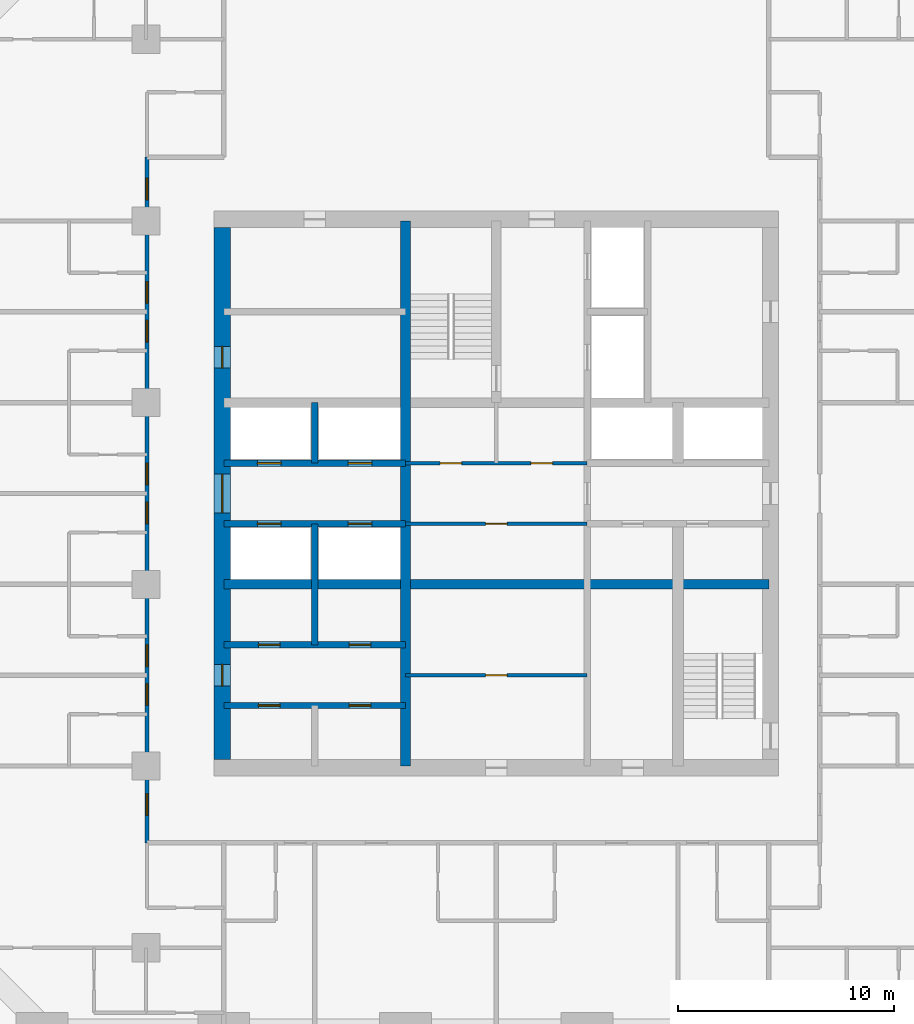
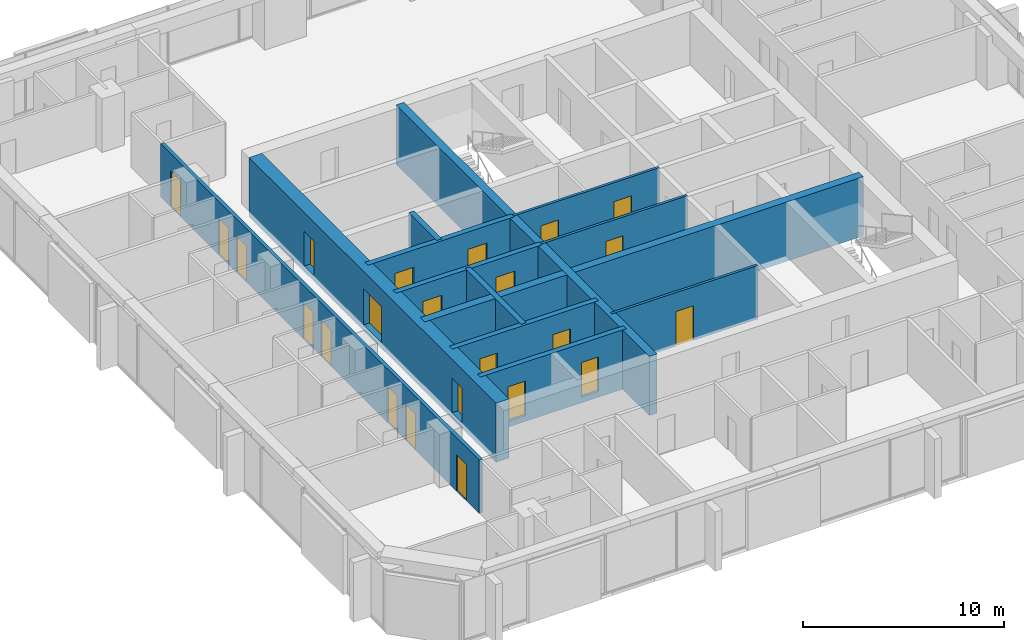
# One storey, part 9 of 13: 23 doors, 13 walls, 23 openings.
"""IFC4 building model written with IfcOpenShell, lengths in metres."""

from ifc_helpers import new_model, si_unit, direction, frame, frame_2d, origin, place, context, subcontext, project, spatial, rectangle, extrude, material, layer, layer_set, type_object, element, fill, save


model = new_model("IFC4")

# Units and contexts
model_context = context("Model", 3, precision=1e-05, world=origin(), true_north=direction((0.0, 1.0)))
body_context = subcontext(model_context, "Body", "Model", "MODEL_VIEW")
ifc_project = project(units=[si_unit("LENGTHUNIT", "METRE"), si_unit("AREAUNIT", "SQUARE_METRE"), si_unit("VOLUMEUNIT", "CUBIC_METRE"), si_unit("PLANEANGLEUNIT", "RADIAN"), si_unit("MASSUNIT", "GRAM", prefix="KILO")], contexts=[model_context])

# Site, building, storey
site_placement = place(None, origin())
site = spatial("IfcSite", under=ifc_project, at=site_placement, CompositionType="ELEMENT")
building_placement = place(site_placement, origin())
building = spatial("IfcBuilding", under=site, at=building_placement, Name="Dunama Terrace Hotel", CompositionType="ELEMENT")
storey_placement = place(building_placement, frame((0.0, 0.0, 166.199951171875)))
storey = spatial("IfcBuildingStorey", under=building, at=storey_placement, Name="L42", CompositionType="ELEMENT", Elevation=166.199951171875)

# Walls
ifc_material_1 = material(Name="Concrete C50/60", Category="concrete")
ifc_layer_1 = layer(ifc_material_1, 0.300048828125)
ifc_layer_set_1 = layer_set([ifc_layer_1], Name="Core inner wall 300")
wall_type_1 = type_object("IfcWallType", Name="Core inner wall 300", PredefinedType="SHEAR", material=ifc_layer_set_1)
wall_1_placement = place(storey_placement, frame((21.0, 22.39990234375, -0.349853515625), z_axis=(0.0, 0.0, 1.0), x_axis=(0.0, 1.0, 0.0)))
element("IfcWall", 1, at=wall_1_placement, inside=storey, type_object=wall_type_1, Name="Core inner wall 300 L42", PredefinedType="SHEAR", context=body_context, shape_type="SweptSolid", body=[
    extrude(rectangle(XDim=5.60009765625, YDim=0.300048828125, at=frame_2d((2.800048828125, 0.0))), origin(), (0.0, 0.0, 1.0), 3.599853515625),
])
wall_2_placement = place(storey_placement, frame((21.0, 30.800048828125, -0.349853515625), z_axis=(0.0, 0.0, 1.0), x_axis=(0.0, 1.0, 0.0)))
element("IfcWall", 2, at=wall_2_placement, inside=storey, type_object=wall_type_1, Name="Core inner wall 300 L42", PredefinedType="SHEAR", context=body_context, shape_type="SweptSolid", body=[
    extrude(rectangle(XDim=2.800048828125, YDim=0.300048828125, at=frame_2d((1.39990234375, 0.0))), origin(), (0.0, 0.0, 1.0), 3.599853515625),
])

# Wall, openings, doors
wall_3_placement = place(storey_placement, frame((16.800048828125, 19.60009765625, -0.349853515625), z_axis=(0.0, 0.0, 1.0), x_axis=(1.0, 0.0, 0.0)))
wall_3 = element("IfcWall", 3, at=wall_3_placement, inside=storey, type_object=wall_type_1, Name="Core inner wall 300 L42", PredefinedType="SHEAR", context=body_context, shape_type="SweptSolid", body=[
    extrude(rectangle(XDim=8.39990234375, YDim=0.300048828125, at=frame_2d((4.199951171875, 0.0))), origin(), (0.0, 0.0, 1.0), 3.599853515625),
])
opening_1_placement = place(wall_3_placement, frame((1.60009765625, 0.0, 0.35009765625)))
opening_1 = element("IfcOpeningElement", 4, at=opening_1_placement, cuts=wall_3, Name="Opening L42-44-059", PredefinedType="OPENING", context=body_context, shape_type="SweptSolid", body=[
    extrude(rectangle(XDim=1.0, YDim=2.10009765625, at=frame_2d((0.5, 1.050048828125))), frame((0.0, 0.159912109375, 0.0), z_axis=(0.0, -1.0, 0.0), x_axis=(1.0, 0.0, 0.0)), (0.0, 0.0, 1.0), 0.320068359375),
])
opening_2_placement = place(wall_3_placement, frame((5.800048828125, 0.0, 0.35009765625)))
opening_2 = element("IfcOpeningElement", 5, at=opening_2_placement, cuts=wall_3, Name="Opening L42-44-060", PredefinedType="OPENING", context=body_context, shape_type="SweptSolid", body=[
    extrude(rectangle(XDim=1.0, YDim=2.10009765625, at=frame_2d((0.5, 1.050048828125))), frame((0.0, 0.159912109375, 0.0), z_axis=(0.0, -1.0, 0.0), x_axis=(1.0, 0.0, 0.0)), (0.0, 0.0, 1.0), 0.320068359375),
])
ifc_material_2 = material(Name="Timber door with steel frame", Category="steel")
door_type_1 = type_object("IfcDoorType", Name="Service door 1000", OperationType="SINGLE_SWING_LEFT", PredefinedType="DOOR", material=ifc_material_2)
door_1_placement = place(opening_1_placement, frame((1.0, 0.0, 0.0), z_axis=(0.0, 0.0, 1.0), x_axis=(-1.0, 0.0, 0.0)))
door_1 = element("IfcDoor", 6, at=door_1_placement, inside=storey, type_object=door_type_1, Name="Door to service riser L42-44-059, type D7", OperationType="SINGLE_SWING_RIGHT", OverallHeight=2.10009765625, OverallWidth=1.0, PredefinedType="DOOR", context=body_context, shape_type="SweptSolid", body=[
    extrude(rectangle(XDim=1.0, YDim=2.10009765625, at=frame_2d((0.5, 1.050048828125))), frame((0.0, 0.025146484375, 0.0), z_axis=(0.0, -1.0, 0.0), x_axis=(1.0, 0.0, 0.0)), (0.0, 0.0, 1.0), 0.050048828125),
])
fill(opening_1, door_1)
door_2_placement = place(opening_2_placement, frame((1.0, 0.0, 0.0), z_axis=(0.0, 0.0, 1.0), x_axis=(-1.0, 0.0, 0.0)))
door_2 = element("IfcDoor", 7, at=door_2_placement, inside=storey, type_object=door_type_1, Name="Door to it room L42-44-060, type D7", OperationType="SINGLE_SWING_LEFT", OverallHeight=2.10009765625, OverallWidth=1.0, PredefinedType="DOOR", context=body_context, shape_type="SweptSolid", body=[
    extrude(rectangle(XDim=1.0, YDim=2.10009765625, at=frame_2d((0.5, 1.050048828125))), frame((0.0, 0.025146484375, 0.0), z_axis=(0.0, -1.0, 0.0), x_axis=(1.0, 0.0, 0.0)), (0.0, 0.0, 1.0), 0.050048828125),
])
fill(opening_2, door_2)

wall_4_placement = place(storey_placement, frame((16.800048828125, 22.39990234375, -0.349853515625), z_axis=(0.0, 0.0, 1.0), x_axis=(1.0, 0.0, 0.0)))
wall_4 = element("IfcWall", 8, at=wall_4_placement, inside=storey, type_object=wall_type_1, Name="Core inner wall 300 L42", PredefinedType="SHEAR", context=body_context, shape_type="SweptSolid", body=[
    extrude(rectangle(XDim=8.39990234375, YDim=0.300048828125, at=frame_2d((4.199951171875, 0.0))), origin(), (0.0, 0.0, 1.0), 3.599853515625),
])
opening_3_placement = place(wall_4_placement, frame((1.60009765625, 0.0, 0.35009765625)))
opening_3 = element("IfcOpeningElement", 9, at=opening_3_placement, cuts=wall_4, Name="Opening L42-44-061", PredefinedType="OPENING", context=body_context, shape_type="SweptSolid", body=[
    extrude(rectangle(XDim=1.0, YDim=2.10009765625, at=frame_2d((0.5, 1.050048828125))), frame((0.0, 0.159912109375, 0.0), z_axis=(0.0, -1.0, 0.0), x_axis=(1.0, 0.0, 0.0)), (0.0, 0.0, 1.0), 0.320068359375),
])
opening_4_placement = place(wall_4_placement, frame((5.800048828125, 0.0, 0.35009765625)))
opening_4 = element("IfcOpeningElement", 10, at=opening_4_placement, cuts=wall_4, Name="Opening L42-44-062", PredefinedType="OPENING", context=body_context, shape_type="SweptSolid", body=[
    extrude(rectangle(XDim=1.0, YDim=2.10009765625, at=frame_2d((0.5, 1.050048828125))), frame((0.0, 0.159912109375, 0.0), z_axis=(0.0, -1.0, 0.0), x_axis=(1.0, 0.0, 0.0)), (0.0, 0.0, 1.0), 0.320068359375),
])
door_3_placement = place(opening_3_placement, origin())
door_3 = element("IfcDoor", 11, at=door_3_placement, inside=storey, type_object=door_type_1, Name="Door to cleaners store L42-44-061, type D7", OperationType="SINGLE_SWING_LEFT", OverallHeight=2.10009765625, OverallWidth=1.0, PredefinedType="DOOR", context=body_context, shape_type="SweptSolid", body=[
    extrude(rectangle(XDim=1.0, YDim=2.10009765625, at=frame_2d((0.5, 1.050048828125))), frame((0.0, 0.02490234375, 0.0), z_axis=(0.0, -1.0, 0.0), x_axis=(1.0, 0.0, 0.0)), (0.0, 0.0, 1.0), 0.050048828125),
])
fill(opening_3, door_3)
door_4_placement = place(opening_4_placement, origin())
door_4 = element("IfcDoor", 12, at=door_4_placement, inside=storey, type_object=door_type_1, Name="Door to staff accessible wc L42-44-062, type D7", OperationType="SINGLE_SWING_RIGHT", OverallHeight=2.10009765625, OverallWidth=1.0, PredefinedType="DOOR", context=body_context, shape_type="SweptSolid", body=[
    extrude(rectangle(XDim=1.0, YDim=2.10009765625, at=frame_2d((0.5, 1.050048828125))), frame((0.0, 0.02490234375, 0.0), z_axis=(0.0, -1.0, 0.0), x_axis=(1.0, 0.0, 0.0)), (0.0, 0.0, 1.0), 0.050048828125),
])
fill(opening_4, door_4)

wall_5_placement = place(storey_placement, frame((16.800048828125, 28.0, -0.349853515625), z_axis=(0.0, 0.0, 1.0), x_axis=(1.0, 0.0, 0.0)))
wall_5 = element("IfcWall", 13, at=wall_5_placement, inside=storey, type_object=wall_type_1, Name="Core inner wall 300 L42", PredefinedType="SHEAR", context=body_context, shape_type="SweptSolid", body=[
    extrude(rectangle(XDim=8.39990234375, YDim=0.300048828125, at=frame_2d((4.199951171875, 0.0))), origin(), (0.0, 0.0, 1.0), 3.599853515625),
])
opening_5_placement = place(wall_5_placement, frame((1.550048828125, 0.0, 0.35009765625)))
opening_5 = element("IfcOpeningElement", 14, at=opening_5_placement, cuts=wall_5, Name="Opening L42-44-003", PredefinedType="OPENING", context=body_context, shape_type="SweptSolid", body=[
    extrude(rectangle(XDim=1.10009765625, YDim=2.199951171875, at=frame_2d((0.550048828125, 1.10009765625))), frame((0.0, 0.159912109375, 0.0), z_axis=(0.0, -1.0, 0.0), x_axis=(1.0, 0.0, 0.0)), (0.0, 0.0, 1.0), 0.320068359375),
])
opening_6_placement = place(wall_5_placement, frame((5.75, 0.0, 0.35009765625)))
opening_6 = element("IfcOpeningElement", 15, at=opening_6_placement, cuts=wall_5, Name="Opening L42-44-004", PredefinedType="OPENING", context=body_context, shape_type="SweptSolid", body=[
    extrude(rectangle(XDim=1.10009765625, YDim=2.199951171875, at=frame_2d((0.550048828125, 1.10009765625))), frame((0.0, 0.159912109375, 0.0), z_axis=(0.0, -1.0, 0.0), x_axis=(1.0, 0.0, 0.0)), (0.0, 0.0, 1.0), 0.320068359375),
])
ifc_material_3 = material(Name="Stainless steel lift door", Category="steel")
door_type_2 = type_object("IfcDoorType", Name="Lift landing door 1100", OperationType="DOUBLE_DOOR_SLIDING", PredefinedType="DOOR", material=ifc_material_3)
door_5_placement = place(opening_5_placement, origin())
door_5 = element("IfcDoor", 16, at=door_5_placement, inside=storey, type_object=door_type_2, Name="Landing door PC1 L42-44-003, type LD1", OperationType="DOUBLE_DOOR_SLIDING", OverallHeight=2.199951171875, OverallWidth=1.10009765625, PredefinedType="DOOR", context=body_context, shape_type="SweptSolid", body=[
    extrude(rectangle(XDim=1.10009765625, YDim=2.199951171875, at=frame_2d((0.550048828125, 1.10009765625))), frame((0.0, 0.02490234375, 0.0), z_axis=(0.0, -1.0, 0.0), x_axis=(1.0, 0.0, 0.0)), (0.0, 0.0, 1.0), 0.050048828125),
])
fill(opening_5, door_5)
door_6_placement = place(opening_6_placement, origin())
door_6 = element("IfcDoor", 17, at=door_6_placement, inside=storey, type_object=door_type_2, Name="Landing door PC2 L42-44-004, type LD1", OperationType="DOUBLE_DOOR_SLIDING", OverallHeight=2.199951171875, OverallWidth=1.10009765625, PredefinedType="DOOR", context=body_context, shape_type="SweptSolid", body=[
    extrude(rectangle(XDim=1.10009765625, YDim=2.199951171875, at=frame_2d((0.550048828125, 1.10009765625))), frame((0.0, 0.02490234375, 0.0), z_axis=(0.0, -1.0, 0.0), x_axis=(1.0, 0.0, 0.0)), (0.0, 0.0, 1.0), 0.050048828125),
])
fill(opening_6, door_6)

wall_6_placement = place(storey_placement, frame((16.800048828125, 30.800048828125, -0.349853515625), z_axis=(0.0, 0.0, 1.0), x_axis=(1.0, 0.0, 0.0)))
wall_6 = element("IfcWall", 18, at=wall_6_placement, inside=storey, type_object=wall_type_1, Name="Core inner wall 300 L42", PredefinedType="SHEAR", context=body_context, shape_type="SweptSolid", body=[
    extrude(rectangle(XDim=8.39990234375, YDim=0.300048828125, at=frame_2d((4.199951171875, 0.0))), origin(), (0.0, 0.0, 1.0), 3.599853515625),
])
opening_7_placement = place(wall_6_placement, frame((1.550048828125, 0.0, 0.35009765625)))
opening_7 = element("IfcOpeningElement", 19, at=opening_7_placement, cuts=wall_6, Name="Opening L42-44-005", PredefinedType="OPENING", context=body_context, shape_type="SweptSolid", body=[
    extrude(rectangle(XDim=1.10009765625, YDim=2.199951171875, at=frame_2d((0.550048828125, 1.10009765625))), frame((0.0, 0.159912109375, 0.0), z_axis=(0.0, -1.0, 0.0), x_axis=(1.0, 0.0, 0.0)), (0.0, 0.0, 1.0), 0.320068359375),
])
opening_8_placement = place(wall_6_placement, frame((5.75, 0.0, 0.35009765625)))
opening_8 = element("IfcOpeningElement", 20, at=opening_8_placement, cuts=wall_6, Name="Opening L42-44-006", PredefinedType="OPENING", context=body_context, shape_type="SweptSolid", body=[
    extrude(rectangle(XDim=1.10009765625, YDim=2.199951171875, at=frame_2d((0.550048828125, 1.10009765625))), frame((0.0, 0.159912109375, 0.0), z_axis=(0.0, -1.0, 0.0), x_axis=(1.0, 0.0, 0.0)), (0.0, 0.0, 1.0), 0.320068359375),
])
door_7_placement = place(opening_7_placement, origin())
door_7 = element("IfcDoor", 21, at=door_7_placement, inside=storey, type_object=door_type_2, Name="Landing door PC3 L42-44-005, type LD1", OperationType="DOUBLE_DOOR_SLIDING", OverallHeight=2.199951171875, OverallWidth=1.10009765625, PredefinedType="DOOR", context=body_context, shape_type="SweptSolid", body=[
    extrude(rectangle(XDim=1.10009765625, YDim=2.199951171875, at=frame_2d((0.550048828125, 1.10009765625))), frame((0.0, 0.02490234375, 0.0), z_axis=(0.0, -1.0, 0.0), x_axis=(1.0, 0.0, 0.0)), (0.0, 0.0, 1.0), 0.050048828125),
])
fill(opening_7, door_7)
door_8_placement = place(opening_8_placement, origin())
door_8 = element("IfcDoor", 22, at=door_8_placement, inside=storey, type_object=door_type_2, Name="Landing door PC4 L42-44-006, type LD1", OperationType="DOUBLE_DOOR_SLIDING", OverallHeight=2.199951171875, OverallWidth=1.10009765625, PredefinedType="DOOR", context=body_context, shape_type="SweptSolid", body=[
    extrude(rectangle(XDim=1.10009765625, YDim=2.199951171875, at=frame_2d((0.550048828125, 1.10009765625))), frame((0.0, 0.02490234375, 0.0), z_axis=(0.0, -1.0, 0.0), x_axis=(1.0, 0.0, 0.0)), (0.0, 0.0, 1.0), 0.050048828125),
])
fill(opening_8, door_8)

# Walls
ifc_material_4 = material(Name="Concrete C50/60", Category="concrete")
ifc_layer_2 = layer(ifc_material_4, 0.449951171875)
ifc_layer_set_2 = layer_set([ifc_layer_2], Name="Core inner wall 450")
wall_type_2 = type_object("IfcWallType", Name="Core inner wall 450", PredefinedType="SHEAR", material=ifc_layer_set_2)
for number, where, z_axis, x_axis, name in (
    (23, (25.199951171875, 16.800048828125, -0.349853515625), (0.0, 0.0, 1.0), (0.0, 1.0, 0.0), "Core inner wall 450 L42"),
    (24, (16.800048828125, 25.199951171875, -0.349853515625), (0.0, 0.0, 1.0), (1.0, 0.0, 0.0), "Core inner wall 450 L42"),
):
    element("IfcWall", number, at=place(storey_placement, frame(where, z_axis=z_axis, x_axis=x_axis)), inside=storey, type_object=wall_type_2, Name=name, PredefinedType="SHEAR", context=body_context, shape_type="SweptSolid", body=[
        extrude(rectangle(XDim=25.199951171875, YDim=0.449951171875, at=frame_2d((12.60009765625, 0.0))), origin(), (0.0, 0.0, 1.0), 3.599853515625),
    ])

# Wall, openings, doors
ifc_material_5 = material(Name="Concrete C60/75", Category="concrete")
ifc_layer_3 = layer(ifc_material_5, 0.75)
ifc_layer_set_3 = layer_set([ifc_layer_3], Name="Core wall 750")
wall_type_3 = type_object("IfcWallType", Name="Core wall 750", PredefinedType="SHEAR", material=ifc_layer_set_3)
wall_7_placement = place(storey_placement, frame((16.72509765625, 41.699951171875, -0.349853515625), z_axis=(0.0, 0.0, 1.0), x_axis=(0.0, -1.0, 0.0)))
wall_7 = element("IfcWall", 25, at=wall_7_placement, inside=storey, type_object=wall_type_3, Name="Core wall west L42", PredefinedType="SHEAR", context=body_context, shape_type="SweptSolid", body=[
    extrude(rectangle(XDim=24.599853515625, YDim=0.75, at=frame_2d((12.2998046875, 0.0))), origin(), (0.0, 0.0, 1.0), 3.599853515625),
])
opening_9_placement = place(wall_7_placement, frame((11.39990234375, 0.0, 0.35009765625)))
opening_9 = element("IfcOpeningElement", 26, at=opening_9_placement, cuts=wall_7, Name="Opening L42-44-058", PredefinedType="OPENING", context=body_context, shape_type="SweptSolid", body=[
    extrude(rectangle(XDim=1.800048828125, YDim=2.199951171875, at=frame_2d((0.89990234375, 1.10009765625))), frame((0.0, 0.385009765625, 0.0), z_axis=(0.0, -1.0, 0.0), x_axis=(1.0, 0.0, 0.0)), (0.0, 0.0, 1.0), 0.77001953125),
])
opening_10_placement = place(wall_7_placement, frame((20.199951171875, 0.0, 0.35009765625)))
opening_10 = element("IfcOpeningElement", 27, at=opening_10_placement, cuts=wall_7, Name="Opening L42-44-063", PredefinedType="OPENING", context=body_context, shape_type="SweptSolid", body=[
    extrude(rectangle(XDim=1.0, YDim=2.10009765625, at=frame_2d((0.5, 1.050048828125))), frame((0.0, 0.385009765625, 0.0), z_axis=(0.0, -1.0, 0.0), x_axis=(1.0, 0.0, 0.0)), (0.0, 0.0, 1.0), 0.77001953125),
])
opening_11_placement = place(wall_7_placement, frame((5.5, 0.0, 0.35009765625)))
opening_11 = element("IfcOpeningElement", 28, at=opening_11_placement, cuts=wall_7, Name="Opening L42-44-064", PredefinedType="OPENING", context=body_context, shape_type="SweptSolid", body=[
    extrude(rectangle(XDim=1.0, YDim=2.10009765625, at=frame_2d((0.5, 1.050048828125))), frame((0.0, 0.385009765625, 0.0), z_axis=(0.0, -1.0, 0.0), x_axis=(1.0, 0.0, 0.0)), (0.0, 0.0, 1.0), 0.77001953125),
])
ifc_material_6 = material(Name="Timber door with steel frame", Category="steel")
door_type_3 = type_object("IfcDoorType", Name="Lift lobby double door 1800", OperationType="DOUBLE_DOOR_DOUBLE_SWING", PredefinedType="DOOR", material=ifc_material_6)
door_9_placement = place(opening_9_placement, origin())
door_9 = element("IfcDoor", 29, at=door_9_placement, inside=storey, type_object=door_type_3, Name="Door to lift lobby L42-44-058, type D3", OperationType="DOUBLE_DOOR_DOUBLE_SWING", OverallHeight=2.199951171875, OverallWidth=1.800048828125, PredefinedType="DOOR", context=body_context, shape_type="SweptSolid", body=[
    extrude(rectangle(XDim=1.800048828125, YDim=2.199951171875, at=frame_2d((0.89990234375, 1.10009765625))), frame((0.0, 0.02490234375, 0.0), z_axis=(0.0, -1.0, 0.0), x_axis=(1.0, 0.0, 0.0)), (0.0, 0.0, 1.0), 0.050048828125),
])
fill(opening_9, door_9)
door_10_placement = place(opening_10_placement, origin())
door_10 = element("IfcDoor", 30, at=door_10_placement, inside=storey, type_object=door_type_1, Name="Door to back-of-house lobby L42-44-063, type D7", OperationType="SINGLE_SWING_LEFT", OverallHeight=2.10009765625, OverallWidth=1.0, PredefinedType="DOOR", context=body_context, shape_type="SweptSolid", body=[
    extrude(rectangle(XDim=1.0, YDim=2.10009765625, at=frame_2d((0.5, 1.050048828125))), frame((0.0, 0.02490234375, 0.0), z_axis=(0.0, -1.0, 0.0), x_axis=(1.0, 0.0, 0.0)), (0.0, 0.0, 1.0), 0.050048828125),
])
fill(opening_10, door_10)
door_11_placement = place(opening_11_placement, origin())
door_11 = element("IfcDoor", 31, at=door_11_placement, inside=storey, type_object=door_type_1, Name="Door to electrical room L42-44-064, type D7", OperationType="SINGLE_SWING_RIGHT", OverallHeight=2.10009765625, OverallWidth=1.0, PredefinedType="DOOR", context=body_context, shape_type="SweptSolid", body=[
    extrude(rectangle(XDim=1.0, YDim=2.10009765625, at=frame_2d((0.5, 1.050048828125))), frame((0.0, 0.02490234375, 0.0), z_axis=(0.0, -1.0, 0.0), x_axis=(1.0, 0.0, 0.0)), (0.0, 0.0, 1.0), 0.050048828125),
])
fill(opening_11, door_11)

ifc_material_7 = material(Name="Concrete blockwork", Category="masonry")
ifc_layer_4 = layer(ifc_material_7, 0.199951171875)
ifc_layer_set_4 = layer_set([ifc_layer_4], Name="Corridor partition 200")
wall_type_4 = type_object("IfcWallType", Name="Corridor partition 200", PredefinedType="PARTITIONING", material=ifc_layer_set_4)
wall_8_placement = place(storey_placement, frame((13.25, 13.25, 0.0), z_axis=(0.0, 0.0, 1.0), x_axis=(0.0, 1.0, 0.0)))
wall_8 = element("IfcWall", 32, at=wall_8_placement, inside=storey, type_object=wall_type_4, Name="Corridor partition 200 L42", PredefinedType="PARTITIONING", context=body_context, shape_type="SweptSolid", body=[
    extrude(rectangle(XDim=31.699951171875, YDim=0.199951171875, at=frame_2d((15.85009765625, 0.0))), origin(), (0.0, 0.0, 1.0), 3.25),
])
opening_12_placement = place(wall_8_placement, frame((6.35009765625, 0.0, 0.0)))
opening_12 = element("IfcOpeningElement", 33, at=opening_12_placement, cuts=wall_8, Name="Opening L42-44-026", PredefinedType="OPENING", context=body_context, shape_type="SweptSolid", body=[
    extrude(rectangle(XDim=1.0, YDim=2.199951171875, at=frame_2d((0.5, 1.10009765625))), frame((0.0, 0.10986328125, 0.0), z_axis=(0.0, -1.0, 0.0), x_axis=(1.0, 0.0, 0.0)), (0.0, 0.0, 1.0), 0.219970703125),
])
opening_13_placement = place(wall_8_placement, frame((8.14990234375, 0.0, 0.0)))
opening_13 = element("IfcOpeningElement", 34, at=opening_13_placement, cuts=wall_8, Name="Opening L42-44-028", PredefinedType="OPENING", context=body_context, shape_type="SweptSolid", body=[
    extrude(rectangle(XDim=1.0, YDim=2.199951171875, at=frame_2d((0.5, 1.10009765625))), frame((0.0, 0.10986328125, 0.0), z_axis=(0.0, -1.0, 0.0), x_axis=(1.0, 0.0, 0.0)), (0.0, 0.0, 1.0), 0.219970703125),
])
opening_14_placement = place(wall_8_placement, frame((14.75, 0.0, 0.0)))
opening_14 = element("IfcOpeningElement", 35, at=opening_14_placement, cuts=wall_8, Name="Opening L42-44-030", PredefinedType="OPENING", context=body_context, shape_type="SweptSolid", body=[
    extrude(rectangle(XDim=1.0, YDim=2.199951171875, at=frame_2d((0.5, 1.10009765625))), frame((0.0, 0.10986328125, 0.0), z_axis=(0.0, -1.0, 0.0), x_axis=(1.0, 0.0, 0.0)), (0.0, 0.0, 1.0), 0.219970703125),
])
opening_15_placement = place(wall_8_placement, frame((16.550048828125, 0.0, 0.0)))
opening_15 = element("IfcOpeningElement", 36, at=opening_15_placement, cuts=wall_8, Name="Opening L42-44-032", PredefinedType="OPENING", context=body_context, shape_type="SweptSolid", body=[
    extrude(rectangle(XDim=1.0, YDim=2.199951171875, at=frame_2d((0.5, 1.10009765625))), frame((0.0, 0.10986328125, 0.0), z_axis=(0.0, -1.0, 0.0), x_axis=(1.0, 0.0, 0.0)), (0.0, 0.0, 1.0), 0.219970703125),
])
opening_16_placement = place(wall_8_placement, frame((23.14990234375, 0.0, 0.0)))
opening_16 = element("IfcOpeningElement", 37, at=opening_16_placement, cuts=wall_8, Name="Opening L42-44-034", PredefinedType="OPENING", context=body_context, shape_type="SweptSolid", body=[
    extrude(rectangle(XDim=1.0, YDim=2.199951171875, at=frame_2d((0.5, 1.10009765625))), frame((0.0, 0.10986328125, 0.0), z_axis=(0.0, -1.0, 0.0), x_axis=(1.0, 0.0, 0.0)), (0.0, 0.0, 1.0), 0.219970703125),
])
opening_17_placement = place(wall_8_placement, frame((24.949951171875, 0.0, 0.0)))
opening_17 = element("IfcOpeningElement", 38, at=opening_17_placement, cuts=wall_8, Name="Opening L42-44-036", PredefinedType="OPENING", context=body_context, shape_type="SweptSolid", body=[
    extrude(rectangle(XDim=1.0, YDim=2.199951171875, at=frame_2d((0.5, 1.10009765625))), frame((0.0, 0.10986328125, 0.0), z_axis=(0.0, -1.0, 0.0), x_axis=(1.0, 0.0, 0.0)), (0.0, 0.0, 1.0), 0.219970703125),
])
opening_18_placement = place(wall_8_placement, frame((1.27490234375, 0.0, 0.0)))
opening_18 = element("IfcOpeningElement", 39, at=opening_18_placement, cuts=wall_8, Name="Opening L42-44-038", PredefinedType="OPENING", context=body_context, shape_type="SweptSolid", body=[
    extrude(rectangle(XDim=1.0, YDim=2.199951171875, at=frame_2d((0.5, 1.10009765625))), frame((0.0, 0.10986328125, 0.0), z_axis=(0.0, -1.0, 0.0), x_axis=(1.0, 0.0, 0.0)), (0.0, 0.0, 1.0), 0.219970703125),
])
opening_19_placement = place(wall_8_placement, frame((29.72509765625, 0.0, 0.0)))
opening_19 = element("IfcOpeningElement", 40, at=opening_19_placement, cuts=wall_8, Name="Opening L42-44-053", PredefinedType="OPENING", context=body_context, shape_type="SweptSolid", body=[
    extrude(rectangle(XDim=1.0, YDim=2.199951171875, at=frame_2d((0.5, 1.10009765625))), frame((0.0, 0.10986328125, 0.0), z_axis=(0.0, -1.0, 0.0), x_axis=(1.0, 0.0, 0.0)), (0.0, 0.0, 1.0), 0.219970703125),
])
ifc_material_8 = material(Name="Timber door with steel frame", Category="steel")
door_type_4 = type_object("IfcDoorType", Name="Guest room door 1000", OperationType="SINGLE_SWING_LEFT", PredefinedType="DOOR", material=ifc_material_8)
door_12_placement = place(opening_12_placement, origin())
door_12 = element("IfcDoor", 41, at=door_12_placement, inside=storey, type_object=door_type_4, Name="Door to club room L42-44-026, type D1", OperationType="SINGLE_SWING_RIGHT", OverallHeight=2.199951171875, OverallWidth=1.0, PredefinedType="DOOR", context=body_context, shape_type="SweptSolid", body=[
    extrude(rectangle(XDim=1.0, YDim=2.199951171875, at=frame_2d((0.5, 1.10009765625))), frame((0.0, 0.02490234375, 0.0), z_axis=(0.0, -1.0, 0.0), x_axis=(1.0, 0.0, 0.0)), (0.0, 0.0, 1.0), 0.050048828125),
])
fill(opening_12, door_12)
door_13_placement = place(opening_13_placement, origin())
door_13 = element("IfcDoor", 42, at=door_13_placement, inside=storey, type_object=door_type_4, Name="Door to club room L42-44-028, type D1", OperationType="SINGLE_SWING_LEFT", OverallHeight=2.199951171875, OverallWidth=1.0, PredefinedType="DOOR", context=body_context, shape_type="SweptSolid", body=[
    extrude(rectangle(XDim=1.0, YDim=2.199951171875, at=frame_2d((0.5, 1.10009765625))), frame((0.0, 0.02490234375, 0.0), z_axis=(0.0, -1.0, 0.0), x_axis=(1.0, 0.0, 0.0)), (0.0, 0.0, 1.0), 0.050048828125),
])
fill(opening_13, door_13)
door_14_placement = place(opening_14_placement, origin())
door_14 = element("IfcDoor", 43, at=door_14_placement, inside=storey, type_object=door_type_4, Name="Door to club room L42-44-030, type D1", OperationType="SINGLE_SWING_RIGHT", OverallHeight=2.199951171875, OverallWidth=1.0, PredefinedType="DOOR", context=body_context, shape_type="SweptSolid", body=[
    extrude(rectangle(XDim=1.0, YDim=2.199951171875, at=frame_2d((0.5, 1.10009765625))), frame((0.0, 0.02490234375, 0.0), z_axis=(0.0, -1.0, 0.0), x_axis=(1.0, 0.0, 0.0)), (0.0, 0.0, 1.0), 0.050048828125),
])
fill(opening_14, door_14)
door_15_placement = place(opening_15_placement, origin())
door_15 = element("IfcDoor", 44, at=door_15_placement, inside=storey, type_object=door_type_4, Name="Door to club room L42-44-032, type D1", OperationType="SINGLE_SWING_LEFT", OverallHeight=2.199951171875, OverallWidth=1.0, PredefinedType="DOOR", context=body_context, shape_type="SweptSolid", body=[
    extrude(rectangle(XDim=1.0, YDim=2.199951171875, at=frame_2d((0.5, 1.10009765625))), frame((0.0, 0.02490234375, 0.0), z_axis=(0.0, -1.0, 0.0), x_axis=(1.0, 0.0, 0.0)), (0.0, 0.0, 1.0), 0.050048828125),
])
fill(opening_15, door_15)
door_16_placement = place(opening_16_placement, origin())
door_16 = element("IfcDoor", 45, at=door_16_placement, inside=storey, type_object=door_type_4, Name="Door to club room L42-44-034, type D1", OperationType="SINGLE_SWING_RIGHT", OverallHeight=2.199951171875, OverallWidth=1.0, PredefinedType="DOOR", context=body_context, shape_type="SweptSolid", body=[
    extrude(rectangle(XDim=1.0, YDim=2.199951171875, at=frame_2d((0.5, 1.10009765625))), frame((0.0, 0.02490234375, 0.0), z_axis=(0.0, -1.0, 0.0), x_axis=(1.0, 0.0, 0.0)), (0.0, 0.0, 1.0), 0.050048828125),
])
fill(opening_16, door_16)
door_17_placement = place(opening_17_placement, origin())
door_17 = element("IfcDoor", 46, at=door_17_placement, inside=storey, type_object=door_type_4, Name="Door to club room L42-44-036, type D1", OperationType="SINGLE_SWING_LEFT", OverallHeight=2.199951171875, OverallWidth=1.0, PredefinedType="DOOR", context=body_context, shape_type="SweptSolid", body=[
    extrude(rectangle(XDim=1.0, YDim=2.199951171875, at=frame_2d((0.5, 1.10009765625))), frame((0.0, 0.02490234375, 0.0), z_axis=(0.0, -1.0, 0.0), x_axis=(1.0, 0.0, 0.0)), (0.0, 0.0, 1.0), 0.050048828125),
])
fill(opening_17, door_17)
door_18_placement = place(opening_18_placement, origin())
door_18 = element("IfcDoor", 47, at=door_18_placement, inside=storey, type_object=door_type_4, Name="Door to corner suite living room L42-44-038, type D1", OperationType="SINGLE_SWING_RIGHT", OverallHeight=2.199951171875, OverallWidth=1.0, PredefinedType="DOOR", context=body_context, shape_type="SweptSolid", body=[
    extrude(rectangle(XDim=1.0, YDim=2.199951171875, at=frame_2d((0.5, 1.10009765625))), frame((0.0, 0.02490234375, 0.0), z_axis=(0.0, -1.0, 0.0), x_axis=(1.0, 0.0, 0.0)), (0.0, 0.0, 1.0), 0.050048828125),
])
fill(opening_18, door_18)
door_19_placement = place(opening_19_placement, origin())
door_19 = element("IfcDoor", 48, at=door_19_placement, inside=storey, type_object=door_type_4, Name="Door to corner suite living room L42-44-053, type D1", OperationType="SINGLE_SWING_LEFT", OverallHeight=2.199951171875, OverallWidth=1.0, PredefinedType="DOOR", context=body_context, shape_type="SweptSolid", body=[
    extrude(rectangle(XDim=1.0, YDim=2.199951171875, at=frame_2d((0.5, 1.10009765625))), frame((0.0, 0.02490234375, 0.0), z_axis=(0.0, -1.0, 0.0), x_axis=(1.0, 0.0, 0.0)), (0.0, 0.0, 1.0), 0.050048828125),
])
fill(opening_19, door_19)

# Wall, opening, door
ifc_material_9 = material(Name="Gypsum board partition", Category="masonry")
ifc_layer_5 = layer(ifc_material_9, 0.14990234375)
ifc_layer_set_5 = layer_set([ifc_layer_5], Name="Room partition 150")
wall_type_5 = type_object("IfcWallType", Name="Room partition 150", PredefinedType="PARTITIONING", material=ifc_layer_set_5)
wall_9_placement = place(storey_placement, frame((25.199951171875, 21.0, 0.0), z_axis=(0.0, 0.0, 1.0), x_axis=(1.0, 0.0, 0.0)))
wall_9 = element("IfcWall", 49, at=wall_9_placement, inside=storey, type_object=wall_type_5, Name="Room partition 150 L42", PredefinedType="PARTITIONING", context=body_context, shape_type="SweptSolid", body=[
    extrude(rectangle(XDim=8.400146484375, YDim=0.14990234375, at=frame_2d((4.2001953125, 0.0))), origin(), (0.0, 0.0, 1.0), 3.25),
])
opening_20_placement = place(wall_9_placement, frame((3.699951171875, 0.0, 0.0)))
opening_20 = element("IfcOpeningElement", 50, at=opening_20_placement, cuts=wall_9, Name="Opening L42-44-076", PredefinedType="OPENING", context=body_context, shape_type="SweptSolid", body=[
    extrude(rectangle(XDim=1.0, YDim=2.10009765625, at=frame_2d((0.5, 1.050048828125))), frame((0.0, 0.0849609375, 0.0), z_axis=(0.0, -1.0, 0.0), x_axis=(1.0, 0.0, 0.0)), (0.0, 0.0, 1.0), 0.169921875),
])
door_20_placement = place(opening_20_placement, origin())
door_20 = element("IfcDoor", 51, at=door_20_placement, inside=storey, type_object=door_type_1, Name="Door to stair pressurisation fan room L42-44-076, type D7", OperationType="SINGLE_SWING_LEFT", OverallHeight=2.10009765625, OverallWidth=1.0, PredefinedType="DOOR", context=body_context, shape_type="SweptSolid", body=[
    extrude(rectangle(XDim=1.0, YDim=2.10009765625, at=frame_2d((0.5, 1.050048828125))), frame((0.0, 0.02490234375, 0.0), z_axis=(0.0, -1.0, 0.0), x_axis=(1.0, 0.0, 0.0)), (0.0, 0.0, 1.0), 0.050048828125),
])
fill(opening_20, door_20)

wall_10_placement = place(storey_placement, frame((25.199951171875, 28.0, 0.0), z_axis=(0.0, 0.0, 1.0), x_axis=(1.0, 0.0, 0.0)))
wall_10 = element("IfcWall", 52, at=wall_10_placement, inside=storey, type_object=wall_type_5, Name="Room partition 150 L42", PredefinedType="PARTITIONING", context=body_context, shape_type="SweptSolid", body=[
    extrude(rectangle(XDim=8.400146484375, YDim=0.14990234375, at=frame_2d((4.2001953125, 0.0))), origin(), (0.0, 0.0, 1.0), 3.25),
])
opening_21_placement = place(wall_10_placement, frame((3.699951171875, 0.0, 0.0)))
opening_21 = element("IfcOpeningElement", 53, at=opening_21_placement, cuts=wall_10, Name="Opening L42-44-067", PredefinedType="OPENING", context=body_context, shape_type="SweptSolid", body=[
    extrude(rectangle(XDim=1.0, YDim=2.10009765625, at=frame_2d((0.5, 1.050048828125))), frame((0.0, 0.0849609375, 0.0), z_axis=(0.0, -1.0, 0.0), x_axis=(1.0, 0.0, 0.0)), (0.0, 0.0, 1.0), 0.169921875),
])
door_21_placement = place(opening_21_placement, frame((1.0, 0.0, 0.0), z_axis=(0.0, 0.0, 1.0), x_axis=(-1.0, 0.0, 0.0)))
door_21 = element("IfcDoor", 54, at=door_21_placement, inside=storey, type_object=door_type_1, Name="Door to linen and housekeeping room L42-44-067, type D7", OperationType="SINGLE_SWING_RIGHT", OverallHeight=2.10009765625, OverallWidth=1.0, PredefinedType="DOOR", context=body_context, shape_type="SweptSolid", body=[
    extrude(rectangle(XDim=1.0, YDim=2.10009765625, at=frame_2d((0.5, 1.050048828125))), frame((0.0, 0.025146484375, 0.0), z_axis=(0.0, -1.0, 0.0), x_axis=(1.0, 0.0, 0.0)), (0.0, 0.0, 1.0), 0.050048828125),
])
fill(opening_21, door_21)

# Wall, openings, doors
wall_11_placement = place(storey_placement, frame((25.199951171875, 30.800048828125, 0.0), z_axis=(0.0, 0.0, 1.0), x_axis=(1.0, 0.0, 0.0)))
wall_11 = element("IfcWall", 55, at=wall_11_placement, inside=storey, type_object=wall_type_5, Name="Room partition 150 L42", PredefinedType="PARTITIONING", context=body_context, shape_type="SweptSolid", body=[
    extrude(rectangle(XDim=8.400146484375, YDim=0.14990234375, at=frame_2d((4.2001953125, 0.0))), origin(), (0.0, 0.0, 1.0), 3.25),
])
opening_22_placement = place(wall_11_placement, frame((5.800048828125, 0.0, 0.0)))
opening_22 = element("IfcOpeningElement", 56, at=opening_22_placement, cuts=wall_11, Name="Opening L42-44-068", PredefinedType="OPENING", context=body_context, shape_type="SweptSolid", body=[
    extrude(rectangle(XDim=1.0, YDim=2.10009765625, at=frame_2d((0.5, 1.050048828125))), frame((0.0, 0.0849609375, 0.0), z_axis=(0.0, -1.0, 0.0), x_axis=(1.0, 0.0, 0.0)), (0.0, 0.0, 1.0), 0.169921875),
])
opening_23_placement = place(wall_11_placement, frame((1.60009765625, 0.0, 0.0)))
opening_23 = element("IfcOpeningElement", 57, at=opening_23_placement, cuts=wall_11, Name="Opening L42-44-069", PredefinedType="OPENING", context=body_context, shape_type="SweptSolid", body=[
    extrude(rectangle(XDim=1.0, YDim=2.10009765625, at=frame_2d((0.5, 1.050048828125))), frame((0.0, 0.0849609375, 0.0), z_axis=(0.0, -1.0, 0.0), x_axis=(1.0, 0.0, 0.0)), (0.0, 0.0, 1.0), 0.169921875),
])
door_22_placement = place(opening_22_placement, origin())
door_22 = element("IfcDoor", 58, at=door_22_placement, inside=storey, type_object=door_type_1, Name="Door to staff locker room L42-44-068, type D7", OperationType="SINGLE_SWING_RIGHT", OverallHeight=2.10009765625, OverallWidth=1.0, PredefinedType="DOOR", context=body_context, shape_type="SweptSolid", body=[
    extrude(rectangle(XDim=1.0, YDim=2.10009765625, at=frame_2d((0.5, 1.050048828125))), frame((0.0, 0.02490234375, 0.0), z_axis=(0.0, -1.0, 0.0), x_axis=(1.0, 0.0, 0.0)), (0.0, 0.0, 1.0), 0.050048828125),
])
fill(opening_22, door_22)
door_23_placement = place(opening_23_placement, origin())
door_23 = element("IfcDoor", 59, at=door_23_placement, inside=storey, type_object=door_type_1, Name="Door to staff break room L42-44-069, type D7", OperationType="SINGLE_SWING_LEFT", OverallHeight=2.10009765625, OverallWidth=1.0, PredefinedType="DOOR", context=body_context, shape_type="SweptSolid", body=[
    extrude(rectangle(XDim=1.0, YDim=2.10009765625, at=frame_2d((0.5, 1.050048828125))), frame((0.0, 0.02490234375, 0.0), z_axis=(0.0, -1.0, 0.0), x_axis=(1.0, 0.0, 0.0)), (0.0, 0.0, 1.0), 0.050048828125),
])
fill(opening_23, door_23)

save(model, "model.ifc")
